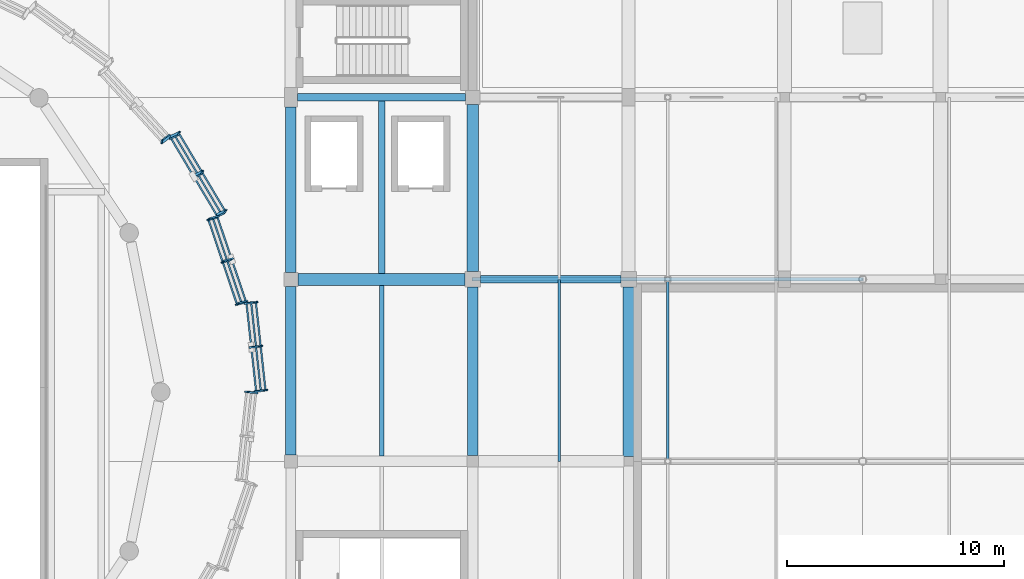
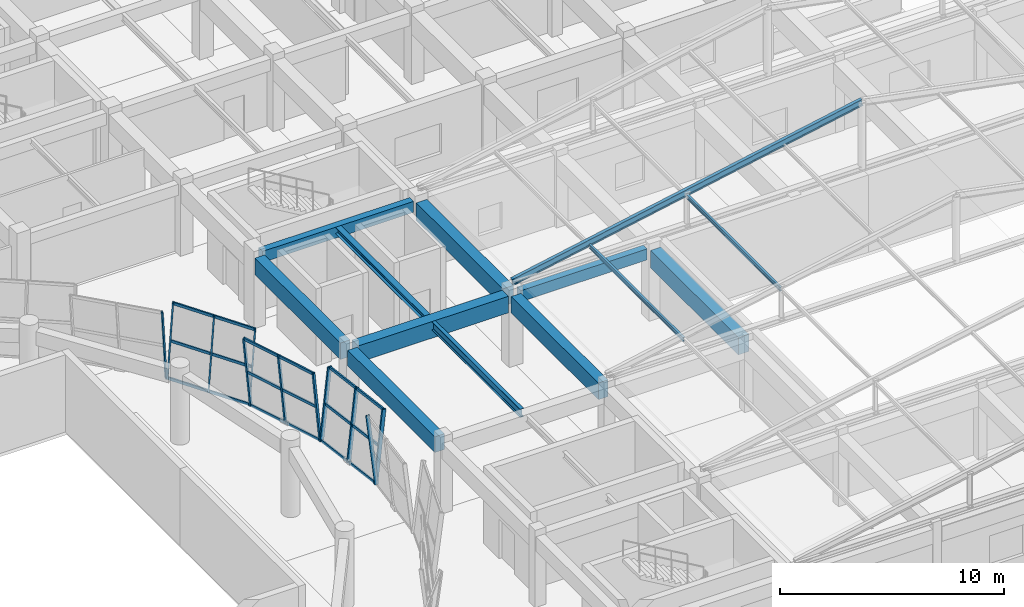
# One storey, part 31 of 74: 32 members, 10 beams, 5 elements without a shape of their own.
"""IFC4 building model written with IfcOpenShell, lengths in metres."""

from ifc_helpers import new_model, si_unit, direction, frame, origin, origin_2d, place, context, subcontext, project, spatial, rectangle, hollow_rectangle, i_section, extrude, material, material_profile, profile_set, type_object, element, aggregate, save


model = new_model("IFC4")

# Units and contexts
model_context = context("Model", 3, precision=1e-05, world=origin(), true_north=direction((0.0, 1.0)))
body_context = subcontext(model_context, "Body", "Model", "MODEL_VIEW")
ifc_project = project(units=[si_unit("LENGTHUNIT", "METRE"), si_unit("AREAUNIT", "SQUARE_METRE"), si_unit("VOLUMEUNIT", "CUBIC_METRE"), si_unit("PLANEANGLEUNIT", "RADIAN"), si_unit("MASSUNIT", "GRAM", prefix="KILO")], contexts=[model_context])

# Site, building, storey
site_placement = place(None, origin())
site = spatial("IfcSite", under=ifc_project, at=site_placement, CompositionType="ELEMENT")
building_placement = place(site_placement, origin())
building = spatial("IfcBuilding", under=site, at=building_placement, Name="Korsvaeld Concert Hall", CompositionType="ELEMENT")
storey_placement = place(building_placement, frame((0.0, 0.0, 9.0)))
storey = spatial("IfcBuildingStorey", under=building, at=storey_placement, Name="L02", CompositionType="ELEMENT", Elevation=9.0)

# Beams
ifc_material_1 = material(Name="Concrete C35/45", Category="concrete")
ifc_material_profile_1 = material_profile(ifc_material_1, rectangle(XDim=0.35009765625, YDim=0.60009765625, at=origin_2d()), Name="RC 350x600")
ifc_profile_set_1 = profile_set([ifc_material_profile_1], Name="Concrete C35/45")
beam_type_1 = type_object("IfcBeamType", Name="BM-RC-350x600", PredefinedType="T_BEAM", material=ifc_profile_set_1)
beam_1_placement = place(storey_placement, frame((117.949951171875, 68.39990234375, 3.5400390625), z_axis=(1.0, 0.0, 0.0), x_axis=(0.0, 1.0, 0.0)))
element("IfcBeam", 1, at=beam_1_placement, inside=storey, type_object=beam_type_1, Name="Primary girder 16-17/K L02", PredefinedType="T_BEAM", context=body_context, shape_type="SweptSolid", body=[
    extrude(rectangle(XDim=0.35009765625, YDim=0.60009765625, at=origin_2d()), origin(), (0.0, 0.0, 1.0), 6.5),
])
beam_2_placement = place(storey_placement, frame((109.5, 76.800048828125, 3.5400390625), z_axis=(1.0, 0.0, 0.0), x_axis=(0.0, 1.0, 0.0)))
element("IfcBeam", 2, at=beam_2_placement, inside=storey, type_object=beam_type_1, Name="Primary girder 15-16/L L02", PredefinedType="T_BEAM", context=body_context, shape_type="SweptSolid", body=[
    extrude(rectangle(XDim=0.35009765625, YDim=0.60009765625, at=origin_2d()), origin(), (0.0, 0.0, 1.0), 7.77490234375),
])
ifc_material_2 = material(Name="Concrete C40/50", Category="concrete")
ifc_material_profile_2 = material_profile(ifc_material_2, rectangle(XDim=0.5, YDim=0.85009765625, at=origin_2d()), Name="RC 500x850")
ifc_profile_set_2 = profile_set([ifc_material_profile_2], Name="Concrete C40/50")
beam_type_2 = type_object("IfcBeamType", Name="BM-RC-500x850", PredefinedType="T_BEAM", material=ifc_profile_set_2)
beam_3_placement = place(storey_placement, frame((109.199951171875, 60.300048828125, 3.4150390625), z_axis=(0.0, 1.0, 0.0), x_axis=(-1.0, 0.0, 0.0)))
element("IfcBeam", 3, at=beam_3_placement, inside=storey, type_object=beam_type_2, Name="Primary girder 15/J-K L02", PredefinedType="T_BEAM", context=body_context, shape_type="SweptSolid", body=[
    extrude(rectangle(XDim=0.5, YDim=0.85009765625, at=origin_2d()), origin(), (0.0, 0.0, 1.0), 7.77490234375),
])
ifc_material_profile_3 = material_profile(ifc_material_2, rectangle(XDim=0.5, YDim=0.89990234375, at=origin_2d()), Name="RC 500x900")
ifc_profile_set_3 = profile_set([ifc_material_profile_3], Name="Concrete C40/50")
beam_type_3 = type_object("IfcBeamType", Name="BM-RC-500x900", PredefinedType="T_BEAM", material=ifc_profile_set_3)
beam_4_placement = place(storey_placement, frame((109.199951171875, 68.72509765625, 3.389892578125), z_axis=(0.0, 1.0, 0.0), x_axis=(-1.0, 0.0, 0.0)))
element("IfcBeam", 4, at=beam_4_placement, inside=storey, type_object=beam_type_3, Name="Primary girder 15/K-L L02", PredefinedType="T_BEAM", context=body_context, shape_type="SweptSolid", body=[
    extrude(rectangle(XDim=0.5, YDim=0.89990234375, at=origin_2d()), origin(), (0.0, 0.0, 1.0), 7.625),
])
beam_5_placement = place(storey_placement, frame((117.60009765625, 60.27490234375, 3.389892578125), z_axis=(0.0, 1.0, 0.0), x_axis=(-1.0, 0.0, 0.0)))
element("IfcBeam", 5, at=beam_5_placement, inside=storey, type_object=beam_type_3, Name="Primary girder 16/J-K L02", PredefinedType="T_BEAM", context=body_context, shape_type="SweptSolid", body=[
    extrude(rectangle(XDim=0.5, YDim=0.89990234375, at=origin_2d()), origin(), (0.0, 0.0, 1.0), 7.775146484375),
])
ifc_material_profile_4 = material_profile(ifc_material_2, rectangle(XDim=0.550048828125, YDim=0.89990234375, at=origin_2d()), Name="RC 550x900")
ifc_profile_set_4 = profile_set([ifc_material_profile_4], Name="Concrete C40/50")
beam_type_4 = type_object("IfcBeamType", Name="BM-RC-550x900", PredefinedType="T_BEAM", material=ifc_profile_set_4)
beam_6_placement = place(storey_placement, frame((109.52490234375, 68.39990234375, 3.389892578125), z_axis=(1.0, 0.0, 0.0), x_axis=(0.0, 1.0, 0.0)))
element("IfcBeam", 6, at=beam_6_placement, inside=storey, type_object=beam_type_4, Name="Primary girder 15-16/K L02", PredefinedType="T_BEAM", context=body_context, shape_type="SweptSolid", body=[
    extrude(rectangle(XDim=0.550048828125, YDim=0.89990234375, at=origin_2d()), origin(), (0.0, 0.0, 1.0), 7.72509765625),
])
ifc_material_profile_5 = material_profile(ifc_material_2, rectangle(XDim=0.550048828125, YDim=0.949951171875, at=origin_2d()), Name="RC 550x950")
ifc_profile_set_5 = profile_set([ifc_material_profile_5], Name="Concrete C40/50")
beam_type_5 = type_object("IfcBeamType", Name="BM-RC-550x950", PredefinedType="T_BEAM", material=ifc_profile_set_5)
beam_7_placement = place(storey_placement, frame((117.60009765625, 68.75, 3.364990234375), z_axis=(0.0, 1.0, 0.0), x_axis=(-1.0, 0.0, 0.0)))
element("IfcBeam", 7, at=beam_7_placement, inside=storey, type_object=beam_type_5, Name="Primary girder 16/K-L L02", PredefinedType="T_BEAM", context=body_context, shape_type="SweptSolid", body=[
    extrude(rectangle(XDim=0.550048828125, YDim=0.949951171875, at=origin_2d()), origin(), (0.0, 0.0, 1.0), 7.72509765625),
])
beam_8_placement = place(storey_placement, frame((124.800048828125, 60.22509765625, 3.364990234375), z_axis=(0.0, 1.0, 0.0), x_axis=(-1.0, 0.0, 0.0)))
element("IfcBeam", 8, at=beam_8_placement, inside=storey, type_object=beam_type_5, Name="Primary girder 17/J-K L02", PredefinedType="T_BEAM", context=body_context, shape_type="SweptSolid", body=[
    extrude(rectangle(XDim=0.550048828125, YDim=0.949951171875, at=origin_2d()), origin(), (0.0, 0.0, 1.0), 7.824951171875),
])
ifc_material_3 = material(Name="Steel S355J2", Category="steel")
ifc_material_profile_6 = material_profile(ifc_material_3, i_section(OverallWidth=0.300048828125, OverallDepth=0.35009765625, WebThickness=0.010009765625, FlangeThickness=0.017578125, FilletRadius=0.027099609375, at=origin_2d()), Name="HEA 360")
ifc_profile_set_6 = profile_set([ifc_material_profile_6], Name="Steel S355J2")
beam_type_6 = type_object("IfcBeamType", Name="BM-STL-HEA360", PredefinedType="BEAM", material=ifc_profile_set_6)
beam_9_placement = place(storey_placement, frame((113.39990234375, 68.675048828125, 3.6650390625), z_axis=(0.0, 1.0, 0.0), x_axis=(-1.0, 0.0, 0.0)))
element("IfcBeam", 9, at=beam_9_placement, inside=storey, type_object=beam_type_6, Name="Secondary steel floor beam 15-16/K L02", PredefinedType="BEAM", context=body_context, shape_type="SweptSolid", body=[
    extrude(i_section(OverallWidth=0.300048828125, OverallDepth=0.35009765625, WebThickness=0.010009765625, FlangeThickness=0.017578125, FilletRadius=0.027099609375, at=origin_2d()), origin(), (0.0, 0.0, 1.0), 7.949951171875),
])
ifc_material_profile_7 = material_profile(ifc_material_3, i_section(OverallWidth=0.18994140625, OverallDepth=0.449951171875, WebThickness=0.009521484375, FlangeThickness=0.0146484375, FilletRadius=0.02099609375, at=origin_2d()), Name="IPE 450")
ifc_profile_set_7 = profile_set([ifc_material_profile_7], Name="Steel S355J2")
beam_type_7 = type_object("IfcBeamType", Name="BM-STL-IPE450", PredefinedType="BEAM", material=ifc_profile_set_7)
beam_10_placement = place(storey_placement, frame((113.39990234375, 60.25, 3.614990234375), z_axis=(0.0, 1.0, 0.0), x_axis=(-1.0, 0.0, 0.0)))
element("IfcBeam", 10, at=beam_10_placement, inside=storey, type_object=beam_type_7, Name="Secondary steel floor beam 15-16/J L02", PredefinedType="BEAM", context=body_context, shape_type="SweptSolid", body=[
    extrude(i_section(OverallWidth=0.18994140625, OverallDepth=0.449951171875, WebThickness=0.009521484375, FlangeThickness=0.0146484375, FilletRadius=0.02099609375, at=origin_2d()), origin(), (0.0, 0.0, 1.0), 7.875),
])

# Curtain wall, members
ifc_material_4 = material(Name="Anodised bronze and ceramic-fritted safety glass", Category="glass")
curtain_wall_type_1 = type_object("IfcCurtainWallType", Name="CW-TYPE-02", PredefinedType="USERDEFINED", material=ifc_material_4)
curtain_wall_1_placement = place(storey_placement, origin())
curtain_wall_1 = element("IfcCurtainWall", 11, at=curtain_wall_1_placement, inside=storey, type_object=curtain_wall_type_1, Name="Crystal curtain-wall facet L02 F02", ObjectType="CURTAIN WALL", PredefinedType="USERDEFINED")
ifc_material_5 = material(Name="Anodised architectural bronze aluminium", Category="aluminium")
ifc_material_profile_8 = material_profile(ifc_material_5, hollow_rectangle(XDim=0.074951171875, YDim=0.179931640625, WallThickness=0.0048828125, at=origin_2d()), Name="CWM 180x75x5")
ifc_profile_set_8 = profile_set([ifc_material_profile_8], Name="Anodised architectural bronze aluminium")
member_type_1 = type_object("IfcMemberType", Name="CWM-BRONZE-180x75", PredefinedType="MULLION", material=ifc_profile_set_8)
member_1_placement = place(storey_placement, frame((107.134521484375, 67.371337890625, 0.0), z_axis=(-0.109222864708, -0.029759635719, 0.993571703455), x_axis=(-0.555751470455, 0.830559253027, -0.036216436851)))
member_1 = element("IfcMember", 12, at=member_1_placement, type_object=member_type_1, Name="CW-CRYS-L02-F02 crystal mullion 1", PredefinedType="MULLION", context=body_context, shape_type="SweptSolid", body=[
    extrude(hollow_rectangle(XDim=0.074951171875, YDim=0.179931640625, WallThickness=0.0048828125, at=origin_2d()), origin(), (0.0, 0.0, 1.0), 3.905029296875),
])
member_2_placement = place(storey_placement, frame((106.47509765625, 69.324462890625, 0.0), z_axis=(-0.109222864708, -0.029759635719, 0.993571703455), x_axis=(-0.555751470455, 0.830559253027, -0.036216436851)))
member_2 = element("IfcMember", 13, at=member_2_placement, type_object=member_type_1, Name="CW-CRYS-L02-F02 crystal mullion 2", PredefinedType="MULLION", context=body_context, shape_type="SweptSolid", body=[
    extrude(hollow_rectangle(XDim=0.074951171875, YDim=0.179931640625, WallThickness=0.0048828125, at=origin_2d()), origin(), (0.0, 0.0, 1.0), 3.905029296875),
])
member_3_placement = place(storey_placement, frame((105.815673828125, 71.27734375, 0.0), z_axis=(-0.109222864708, -0.029759635719, 0.993571703455), x_axis=(-0.555751470455, 0.830559253027, -0.036216436851)))
member_3 = element("IfcMember", 14, at=member_3_placement, type_object=member_type_1, Name="CW-CRYS-L02-F02 crystal mullion 3", PredefinedType="MULLION", context=body_context, shape_type="SweptSolid", body=[
    extrude(hollow_rectangle(XDim=0.074951171875, YDim=0.179931640625, WallThickness=0.0048828125, at=origin_2d()), origin(), (0.0, 0.0, 1.0), 3.905029296875),
])

# Curtain wall, member
curtain_wall_type_2 = type_object("IfcCurtainWallType", Name="CW-TYPE-04", PredefinedType="USERDEFINED", material=ifc_material_4)
curtain_wall_2_placement = place(storey_placement, origin())
curtain_wall_2 = element("IfcCurtainWall", 15, at=curtain_wall_2_placement, inside=storey, type_object=curtain_wall_type_2, Name="Crystal curtain-wall facet L02 F04", ObjectType="CURTAIN WALL", PredefinedType="USERDEFINED")
member_4_placement = place(storey_placement, frame((103.597412109375, 75.005859375, 0.0), z_axis=(-0.091092013968, -0.06720927592, 0.993571918998), x_axis=(-0.977585029152, 0.196207994795, -0.076354001577)))
member_4 = element("IfcMember", 16, at=member_4_placement, type_object=member_type_1, Name="CW-CRYS-L02-F04 crystal mullion 1", PredefinedType="MULLION", context=body_context, shape_type="SweptSolid", body=[
    extrude(hollow_rectangle(XDim=0.074951171875, YDim=0.179931640625, WallThickness=0.0048828125, at=origin_2d()), origin(), (0.0, 0.0, 1.0), 3.905029296875),
])
aggregate(curtain_wall_2, [member_4])

curtain_wall_type_3 = type_object("IfcCurtainWallType", Name="CW-TYPE-08", PredefinedType="USERDEFINED", material=ifc_material_4)
curtain_wall_3_placement = place(storey_placement, origin())
curtain_wall_3 = element("IfcCurtainWall", 17, at=curtain_wall_3_placement, inside=storey, type_object=curtain_wall_type_3, Name="Crystal curtain-wall facet L02 F32", ObjectType="CURTAIN WALL", PredefinedType="USERDEFINED")
member_5_placement = place(storey_placement, frame((107.595947265625, 63.162841796875, 0.0), z_axis=(-0.112786273449, 0.00994069705, 0.993569544151), x_axis=(0.195151320057, 0.980695499736, 0.012340951229)))
member_5 = element("IfcMember", 18, at=member_5_placement, type_object=member_type_1, Name="CW-CRYS-L02-F32 crystal mullion 3", PredefinedType="MULLION", context=body_context, shape_type="SweptSolid", body=[
    extrude(hollow_rectangle(XDim=0.074951171875, YDim=0.179931640625, WallThickness=0.0048828125, at=origin_2d()), origin(), (0.0, 0.0, 1.0), 3.905029296875),
])
aggregate(curtain_wall_3, [member_5])

# Curtain wall, members
curtain_wall_type_4 = type_object("IfcCurtainWallType", Name="CW-TYPE-01", PredefinedType="USERDEFINED", material=ifc_material_4)
curtain_wall_4_placement = place(storey_placement, origin())
curtain_wall_4 = element("IfcCurtainWall", 19, at=curtain_wall_4_placement, inside=storey, type_object=curtain_wall_type_4, Name="Crystal curtain-wall facet L02 F01", ObjectType="CURTAIN WALL", PredefinedType="USERDEFINED")
ifc_material_profile_9 = material_profile(ifc_material_5, hollow_rectangle(XDim=0.074951171875, YDim=0.219970703125, WallThickness=0.006103515625, at=origin_2d()), Name="CWM 220x75x6")
ifc_profile_set_9 = profile_set([ifc_material_profile_9], Name="Anodised architectural bronze aluminium")
member_type_2 = type_object("IfcMemberType", Name="CWM-BRONZE-220x75", PredefinedType="MULLION", material=ifc_profile_set_9)
member_6_placement = place(storey_placement, frame((107.595947265625, 63.2373046875, 0.0), z_axis=(0.112786273449, 0.00994069705, 0.993569544151), x_axis=(0.195151320057, -0.980695499736, -0.012340951229)))
member_6 = element("IfcMember", 20, at=member_6_placement, type_object=member_type_2, Name="CW-CRYS-L02-F01 crystal mullion 1", PredefinedType="MULLION", context=body_context, shape_type="SweptSolid", body=[
    extrude(hollow_rectangle(XDim=0.074951171875, YDim=0.219970703125, WallThickness=0.006103515625, at=origin_2d()), origin(), (0.0, 0.0, 1.0), 3.905029296875),
])
member_7_placement = place(storey_placement, frame((107.373291015625, 65.26806640625, 0.0), z_axis=(0.112786273449, 0.00994069705, 0.993569544151), x_axis=(0.195151320057, -0.980695499736, -0.012340951229)))
member_7 = element("IfcMember", 21, at=member_7_placement, type_object=member_type_2, Name="CW-CRYS-L02-F01 crystal mullion 2", PredefinedType="MULLION", context=body_context, shape_type="SweptSolid", body=[
    extrude(hollow_rectangle(XDim=0.074951171875, YDim=0.219970703125, WallThickness=0.006103515625, at=origin_2d()), origin(), (0.0, 0.0, 1.0), 3.905029296875),
])
member_8_placement = place(storey_placement, frame((107.150634765625, 67.298583984375, 0.0), z_axis=(0.112724477712, 0.010003281439, 0.993575928898), x_axis=(0.19573924927, -0.980578399694, -0.012334842844)))
member_8 = element("IfcMember", 22, at=member_8_placement, type_object=member_type_2, Name="CW-CRYS-L02-F01 crystal mullion 3", PredefinedType="MULLION", context=body_context, shape_type="SweptSolid", body=[
    extrude(hollow_rectangle(XDim=0.074951171875, YDim=0.219970703125, WallThickness=0.006103515625, at=origin_2d()), origin(), (0.0, 0.0, 1.0), 3.905029296875),
])

curtain_wall_type_5 = type_object("IfcCurtainWallType", Name="CW-TYPE-03", PredefinedType="USERDEFINED", material=ifc_material_4)
curtain_wall_5_placement = place(storey_placement, origin())
curtain_wall_5 = element("IfcCurtainWall", 23, at=curtain_wall_5_placement, inside=storey, type_object=curtain_wall_type_5, Name="Crystal curtain-wall facet L02 F03", ObjectType="CURTAIN WALL", PredefinedType="USERDEFINED")
member_9_placement = place(storey_placement, frame((105.784423828125, 71.34521484375, 0.0), z_axis=(0.102033449935, 0.04895354859, 0.993575726945), x_axis=(0.829810679162, -0.555036387008, -0.057869213275)))
member_9 = element("IfcMember", 24, at=member_9_placement, type_object=member_type_2, Name="CW-CRYS-L02-F03 crystal mullion 1", PredefinedType="MULLION", context=body_context, shape_type="SweptSolid", body=[
    extrude(hollow_rectangle(XDim=0.074951171875, YDim=0.219970703125, WallThickness=0.006103515625, at=origin_2d()), origin(), (0.0, 0.0, 1.0), 3.905029296875),
])
member_10_placement = place(storey_placement, frame((104.713134765625, 73.1455078125, 0.0), z_axis=(0.102033137454, 0.049015918973, 0.993572684079), x_axis=(0.830085566012, -0.554623769939, -0.057882872395)))
member_10 = element("IfcMember", 25, at=member_10_placement, type_object=member_type_2, Name="CW-CRYS-L02-F03 crystal mullion 2", PredefinedType="MULLION", context=body_context, shape_type="SweptSolid", body=[
    extrude(hollow_rectangle(XDim=0.074951171875, YDim=0.219970703125, WallThickness=0.006103515625, at=origin_2d()), origin(), (0.0, 0.0, 1.0), 3.905029296875),
])
member_11_placement = place(storey_placement, frame((103.641845703125, 74.94580078125, 0.0), z_axis=(0.102033137454, 0.049015918973, 0.993572684079), x_axis=(0.830085566012, -0.554623769939, -0.057882872395)))
member_11 = element("IfcMember", 26, at=member_11_placement, type_object=member_type_2, Name="CW-CRYS-L02-F03 crystal mullion 3", PredefinedType="MULLION", context=body_context, shape_type="SweptSolid", body=[
    extrude(hollow_rectangle(XDim=0.074951171875, YDim=0.219970703125, WallThickness=0.006103515625, at=origin_2d()), origin(), (0.0, 0.0, 1.0), 3.905029296875),
])

# Member
ifc_material_profile_10 = material_profile(ifc_material_5, hollow_rectangle(XDim=0.074951171875, YDim=0.14990234375, WallThickness=0.0048828125, at=origin_2d()), Name="CWT 150x75x5")
ifc_profile_set_10 = profile_set([ifc_material_profile_10], Name="Anodised architectural bronze aluminium")
member_type_3 = type_object("IfcMemberType", Name="CWT-BRONZE-150x75", PredefinedType="USERDEFINED", material=ifc_profile_set_10)
member_12_placement = place(storey_placement, frame((107.59521484375, 63.27490234375, 0.030029296875), z_axis=(-0.108933482058, 0.994049041289, 0.0), x_axis=(-0.994049041289, -0.108933482058, 0.0)))
member_12 = element("IfcMember", 27, at=member_12_placement, type_object=member_type_3, Name="CW-CRYS-L02-F01 crystal transom 1.1", ObjectType="TRANSOM", PredefinedType="USERDEFINED", context=body_context, shape_type="SweptSolid", body=[
    extrude(hollow_rectangle(XDim=0.074951171875, YDim=0.14990234375, WallThickness=0.0048828125, at=origin_2d()), origin(), (0.0, 0.0, 1.0), 1.9677734375),
])

member_13_placement = place(storey_placement, frame((107.81201171875, 63.2939453125, 1.93994140625), z_axis=(-0.109042629262, 0.99403707426, 0.0), x_axis=(-0.99403707426, -0.109042629262, 0.0)))
member_13 = element("IfcMember", 28, at=member_13_placement, type_object=member_type_3, Name="CW-CRYS-L02-F01 crystal transom 1.2", ObjectType="TRANSOM", PredefinedType="USERDEFINED", context=body_context, shape_type="SweptSolid", body=[
    extrude(hollow_rectangle(XDim=0.074951171875, YDim=0.14990234375, WallThickness=0.0048828125, at=origin_2d()), origin(), (0.0, 0.0, 1.0), 1.968017578125),
])

member_14_placement = place(storey_placement, frame((108.02880859375, 63.313232421875, 3.85009765625), z_axis=(-0.10905607732, 0.99403559896, 0.0), x_axis=(-0.99403559896, -0.10905607732, 0.0)))
member_14 = element("IfcMember", 29, at=member_14_placement, type_object=member_type_3, Name="CW-CRYS-L02-F01 crystal transom 1.3", ObjectType="TRANSOM", PredefinedType="USERDEFINED", context=body_context, shape_type="SweptSolid", body=[
    extrude(hollow_rectangle(XDim=0.074951171875, YDim=0.14990234375, WallThickness=0.0048828125, at=origin_2d()), origin(), (0.0, 0.0, 1.0), 1.9677734375),
])

member_15_placement = place(storey_placement, frame((107.37255859375, 65.305419921875, 0.030029296875), z_axis=(-0.109042629262, 0.99403707426, 0.0), x_axis=(-0.99403707426, -0.109042629262, 0.0)))
member_15 = element("IfcMember", 30, at=member_15_placement, type_object=member_type_3, Name="CW-CRYS-L02-F01 crystal transom 2.1", ObjectType="TRANSOM", PredefinedType="USERDEFINED", context=body_context, shape_type="SweptSolid", body=[
    extrude(hollow_rectangle(XDim=0.074951171875, YDim=0.14990234375, WallThickness=0.0048828125, at=origin_2d()), origin(), (0.0, 0.0, 1.0), 1.968017578125),
])

member_16_placement = place(storey_placement, frame((107.58935546875, 65.32470703125, 1.93994140625), z_axis=(-0.10905607732, 0.99403559896, 0.0), x_axis=(-0.99403559896, -0.10905607732, 0.0)))
member_16 = element("IfcMember", 31, at=member_16_placement, type_object=member_type_3, Name="CW-CRYS-L02-F01 crystal transom 2.2", ObjectType="TRANSOM", PredefinedType="USERDEFINED", context=body_context, shape_type="SweptSolid", body=[
    extrude(hollow_rectangle(XDim=0.074951171875, YDim=0.14990234375, WallThickness=0.0048828125, at=origin_2d()), origin(), (0.0, 0.0, 1.0), 1.9677734375),
])

member_17_placement = place(storey_placement, frame((107.80615234375, 65.343994140625, 3.85009765625), z_axis=(-0.10905607732, 0.99403559896, 0.0), x_axis=(-0.99403559896, -0.10905607732, 0.0)))
member_17 = element("IfcMember", 32, at=member_17_placement, type_object=member_type_3, Name="CW-CRYS-L02-F01 crystal transom 2.3", ObjectType="TRANSOM", PredefinedType="USERDEFINED", context=body_context, shape_type="SweptSolid", body=[
    extrude(hollow_rectangle(XDim=0.074951171875, YDim=0.14990234375, WallThickness=0.0048828125, at=origin_2d()), origin(), (0.0, 0.0, 1.0), 1.9677734375),
])

aggregate(curtain_wall_4, [member_6, member_7, member_8, member_12, member_13, member_14, member_15, member_16, member_17])

member_18_placement = place(storey_placement, frame((107.119140625, 67.406005859375, 0.030029296875), z_axis=(-0.319912420616, 0.947447118912, 0.0), x_axis=(-0.947447118912, -0.319912420616, 0.0)))
member_18 = element("IfcMember", 33, at=member_18_placement, type_object=member_type_3, Name="CW-CRYS-L02-F02 crystal transom 1.1", ObjectType="TRANSOM", PredefinedType="USERDEFINED", context=body_context, shape_type="SweptSolid", body=[
    extrude(hollow_rectangle(XDim=0.074951171875, YDim=0.14990234375, WallThickness=0.0048828125, at=origin_2d()), origin(), (0.0, 0.0, 1.0), 1.986572265625),
])

member_19_placement = place(storey_placement, frame((106.9091796875, 67.348876953125, 1.93994140625), z_axis=(-0.319949676143, 0.947434538497, 0.0), x_axis=(-0.947434538497, -0.319949676143, 0.0)))
member_19 = element("IfcMember", 34, at=member_19_placement, type_object=member_type_3, Name="CW-CRYS-L02-F02 crystal transom 1.2", ObjectType="TRANSOM", PredefinedType="USERDEFINED", context=body_context, shape_type="SweptSolid", body=[
    extrude(hollow_rectangle(XDim=0.074951171875, YDim=0.14990234375, WallThickness=0.0048828125, at=origin_2d()), origin(), (0.0, 0.0, 1.0), 1.986328125),
])

member_20_placement = place(storey_placement, frame((106.69921875, 67.291748046875, 3.85009765625), z_axis=(-0.319949676143, 0.947434538497, 0.0), x_axis=(-0.947434538497, -0.319949676143, 0.0)))
member_20 = element("IfcMember", 35, at=member_20_placement, type_object=member_type_3, Name="CW-CRYS-L02-F02 crystal transom 1.3", ObjectType="TRANSOM", PredefinedType="USERDEFINED", context=body_context, shape_type="SweptSolid", body=[
    extrude(hollow_rectangle(XDim=0.074951171875, YDim=0.14990234375, WallThickness=0.0048828125, at=origin_2d()), origin(), (0.0, 0.0, 1.0), 1.986328125),
])

member_21_placement = place(storey_placement, frame((106.459716796875, 69.359130859375, 0.030029296875), z_axis=(-0.319949676143, 0.947434538497, 0.0), x_axis=(-0.947434538497, -0.319949676143, 0.0)))
member_21 = element("IfcMember", 36, at=member_21_placement, type_object=member_type_3, Name="CW-CRYS-L02-F02 crystal transom 2.1", ObjectType="TRANSOM", PredefinedType="USERDEFINED", context=body_context, shape_type="SweptSolid", body=[
    extrude(hollow_rectangle(XDim=0.074951171875, YDim=0.14990234375, WallThickness=0.0048828125, at=origin_2d()), origin(), (0.0, 0.0, 1.0), 1.986328125),
])

member_22_placement = place(storey_placement, frame((106.249755859375, 69.3017578125, 1.93994140625), z_axis=(-0.319912420616, 0.947447118912, 0.0), x_axis=(-0.947447118912, -0.319912420616, 0.0)))
member_22 = element("IfcMember", 37, at=member_22_placement, type_object=member_type_3, Name="CW-CRYS-L02-F02 crystal transom 2.2", ObjectType="TRANSOM", PredefinedType="USERDEFINED", context=body_context, shape_type="SweptSolid", body=[
    extrude(hollow_rectangle(XDim=0.074951171875, YDim=0.14990234375, WallThickness=0.0048828125, at=origin_2d()), origin(), (0.0, 0.0, 1.0), 1.986572265625),
])

member_23_placement = place(storey_placement, frame((106.039794921875, 69.24462890625, 3.85009765625), z_axis=(-0.319949676143, 0.947434538497, 0.0), x_axis=(-0.947434538497, -0.319949676143, 0.0)))
member_23 = element("IfcMember", 38, at=member_23_placement, type_object=member_type_3, Name="CW-CRYS-L02-F02 crystal transom 2.3", ObjectType="TRANSOM", PredefinedType="USERDEFINED", context=body_context, shape_type="SweptSolid", body=[
    extrude(hollow_rectangle(XDim=0.074951171875, YDim=0.14990234375, WallThickness=0.0048828125, at=origin_2d()), origin(), (0.0, 0.0, 1.0), 1.986328125),
])

aggregate(curtain_wall_1, [member_1, member_2, member_3, member_18, member_19, member_20, member_21, member_22, member_23])

member_24_placement = place(storey_placement, frame((105.768310546875, 71.37890625, 0.030029296875), z_axis=(-0.511381861684, 0.859353589357, 0.0), x_axis=(-0.859353589357, -0.511381861684, 0.0)))
member_24 = element("IfcMember", 39, at=member_24_placement, type_object=member_type_3, Name="CW-CRYS-L02-F03 crystal transom 1.1", ObjectType="TRANSOM", PredefinedType="USERDEFINED", context=body_context, shape_type="SweptSolid", body=[
    extrude(hollow_rectangle(XDim=0.074951171875, YDim=0.14990234375, WallThickness=0.0048828125, at=origin_2d()), origin(), (0.0, 0.0, 1.0), 2.02001953125),
])

member_25_placement = place(storey_placement, frame((105.964599609375, 71.47314453125, 1.93994140625), z_axis=(-0.511381861684, 0.859353589357, 0.0), x_axis=(-0.859353589357, -0.511381861684, 0.0)))
member_25 = element("IfcMember", 40, at=member_25_placement, type_object=member_type_3, Name="CW-CRYS-L02-F03 crystal transom 1.2", ObjectType="TRANSOM", PredefinedType="USERDEFINED", context=body_context, shape_type="SweptSolid", body=[
    extrude(hollow_rectangle(XDim=0.074951171875, YDim=0.14990234375, WallThickness=0.0048828125, at=origin_2d()), origin(), (0.0, 0.0, 1.0), 2.02001953125),
])

member_26_placement = place(storey_placement, frame((106.16064453125, 71.567138671875, 3.85009765625), z_axis=(-0.511328750939, 0.859385192136, 0.0), x_axis=(-0.859385192136, -0.511328750939, 0.0)))
member_26 = element("IfcMember", 41, at=member_26_placement, type_object=member_type_3, Name="CW-CRYS-L02-F03 crystal transom 1.3", ObjectType="TRANSOM", PredefinedType="USERDEFINED", context=body_context, shape_type="SweptSolid", body=[
    extrude(hollow_rectangle(XDim=0.074951171875, YDim=0.14990234375, WallThickness=0.0048828125, at=origin_2d()), origin(), (0.0, 0.0, 1.0), 2.020263671875),
])

member_27_placement = place(storey_placement, frame((104.697021484375, 73.17919921875, 0.030029296875), z_axis=(-0.511381861684, 0.859353589357, 0.0), x_axis=(-0.859353589357, -0.511381861684, 0.0)))
member_27 = element("IfcMember", 42, at=member_27_placement, type_object=member_type_3, Name="CW-CRYS-L02-F03 crystal transom 2.1", ObjectType="TRANSOM", PredefinedType="USERDEFINED", context=body_context, shape_type="SweptSolid", body=[
    extrude(hollow_rectangle(XDim=0.074951171875, YDim=0.14990234375, WallThickness=0.0048828125, at=origin_2d()), origin(), (0.0, 0.0, 1.0), 2.02001953125),
])

member_28_placement = place(storey_placement, frame((104.893310546875, 73.2734375, 1.93994140625), z_axis=(-0.511381861684, 0.859353589357, 0.0), x_axis=(-0.859353589357, -0.511381861684, 0.0)))
member_28 = element("IfcMember", 43, at=member_28_placement, type_object=member_type_3, Name="CW-CRYS-L02-F03 crystal transom 2.2", ObjectType="TRANSOM", PredefinedType="USERDEFINED", context=body_context, shape_type="SweptSolid", body=[
    extrude(hollow_rectangle(XDim=0.074951171875, YDim=0.14990234375, WallThickness=0.0048828125, at=origin_2d()), origin(), (0.0, 0.0, 1.0), 2.02001953125),
])

member_29_placement = place(storey_placement, frame((105.08935546875, 73.36767578125, 3.85009765625), z_axis=(-0.511381861684, 0.859353589357, 0.0), x_axis=(-0.859353589357, -0.511381861684, 0.0)))
member_29 = element("IfcMember", 44, at=member_29_placement, type_object=member_type_3, Name="CW-CRYS-L02-F03 crystal transom 2.3", ObjectType="TRANSOM", PredefinedType="USERDEFINED", context=body_context, shape_type="SweptSolid", body=[
    extrude(hollow_rectangle(XDim=0.074951171875, YDim=0.14990234375, WallThickness=0.0048828125, at=origin_2d()), origin(), (0.0, 0.0, 1.0), 2.02001953125),
])

aggregate(curtain_wall_5, [member_9, member_10, member_11, member_24, member_25, member_26, member_27, member_28, member_29])

# Members
ifc_material_profile_11 = material_profile(ifc_material_3, i_section(OverallWidth=0.110107421875, OverallDepth=0.219970703125, WebThickness=0.005859375, FlangeThickness=0.00927734375, FilletRadius=0.011962890625, at=origin_2d()), Name="IPE 220")
ifc_profile_set_11 = profile_set([ifc_material_profile_11], Name="Steel S355J2")
member_type_4 = type_object("IfcMemberType", Name="MEM-PUR-IPE220", PredefinedType="PURLIN", material=ifc_profile_set_11)
for number, where, z_axis, x_axis, name in (
    (45, (121.60009765625, 60.0, 4.89990234375), (0.0, 1.0, 0.0), (-1.0, 0.0, 0.0), "Chamber Hall roof purlin 121.3"),
    (46, (126.60009765625, 60.0, 5.8798828125), (0.0, 1.0, 0.0), (-1.0, 0.0, 0.0), "Chamber Hall roof purlin 126.3"),
):
    element("IfcMember", number, at=place(storey_placement, frame(where, z_axis=z_axis, x_axis=x_axis)), inside=storey, type_object=member_type_4, Name=name, PredefinedType="PURLIN", context=body_context, shape_type="SweptSolid", body=[
        extrude(i_section(OverallWidth=0.110107421875, OverallDepth=0.219970703125, WebThickness=0.005859375, FlangeThickness=0.00927734375, FilletRadius=0.011962890625, at=origin_2d()), origin(), (0.0, 0.0, 1.0), 8.39990234375),
    ])
ifc_material_profile_12 = material_profile(ifc_material_3, i_section(OverallWidth=0.169921875, OverallDepth=0.360107421875, WebThickness=0.008056640625, FlangeThickness=0.0126953125, FilletRadius=0.01806640625, at=origin_2d()), Name="IPE 360")
ifc_profile_set_12 = profile_set([ifc_material_profile_12], Name="Steel S355J2")
member_type_5 = type_object("IfcMemberType", Name="MEM-RAF-IPE360", PredefinedType="RAFTER", material=ifc_profile_set_12)
member_30_placement = place(storey_placement, frame((117.60009765625, 68.39990234375, 4.35009765625), z_axis=(0.981615389669, 0.0, 0.190869659102), x_axis=(0.0, 1.0, 0.0)))
element("IfcMember", 47, at=member_30_placement, inside=storey, type_object=member_type_5, Name="Chamber Hall west pitched rafter 4", PredefinedType="RAFTER", context=body_context, shape_type="SweptSolid", body=[
    extrude(i_section(OverallWidth=0.169921875, OverallDepth=0.360107421875, WebThickness=0.008056640625, FlangeThickness=0.0126953125, FilletRadius=0.01806640625, at=origin_2d()), origin(), (0.0, 0.0, 1.0), 18.337158203125),
])

save(model, "model.ifc")
